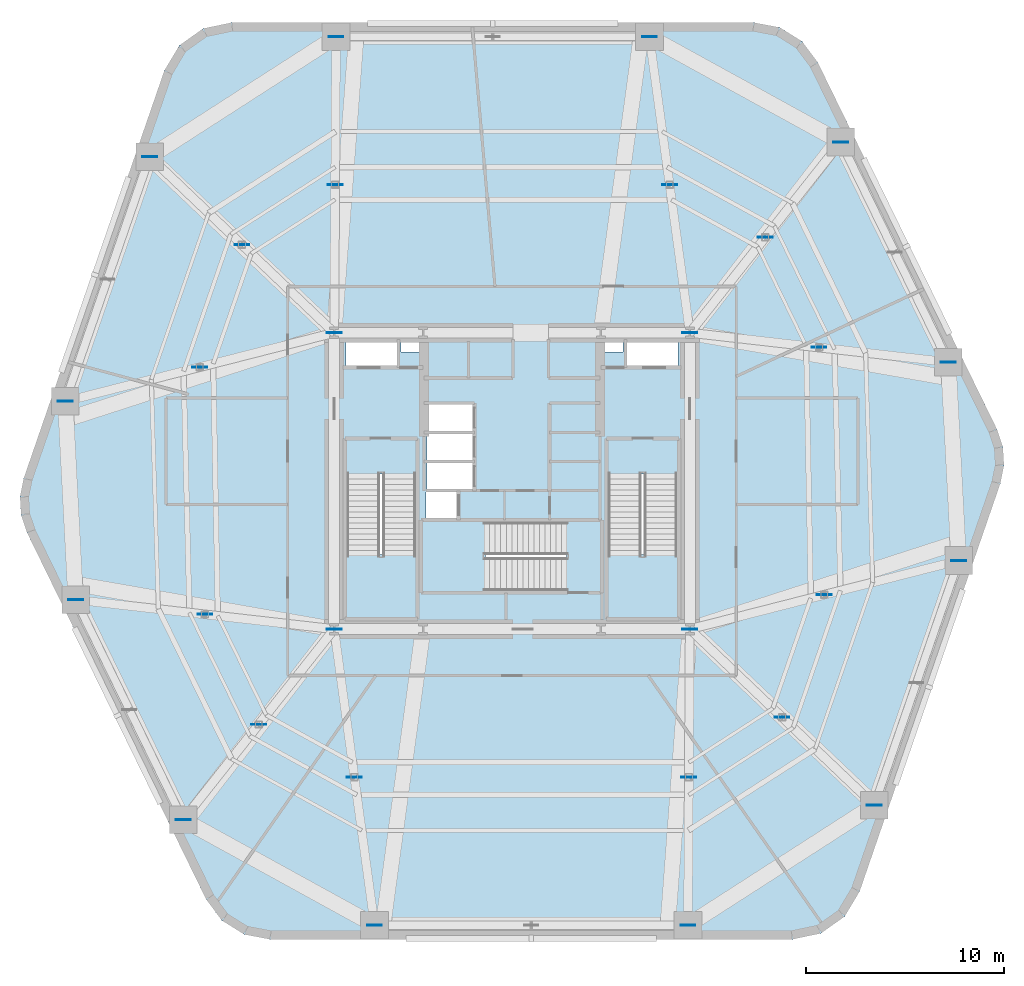
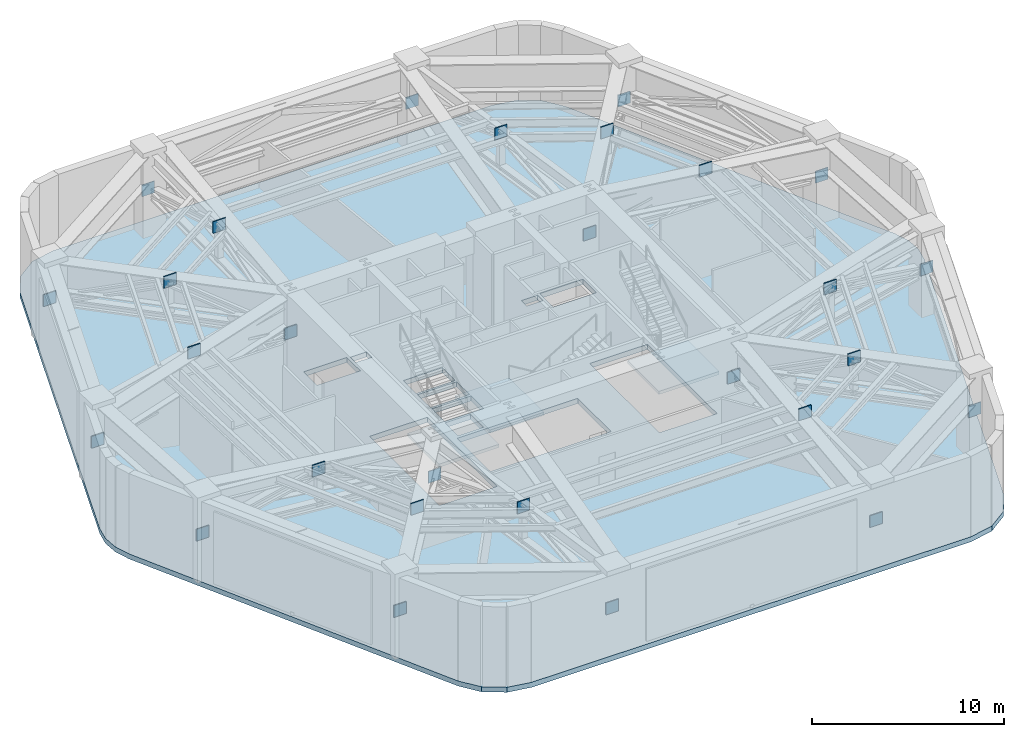
# One storey, part 5 of 11: 28 plates, 4 slabs, 3 elements without a shape of their own.
"""IFC4 building model written with IfcOpenShell, lengths in metres."""

from ifc_helpers import new_model, si_unit, direction, frame, origin, origin_2d, place, context, subcontext, project, spatial, polyline, rectangle, outline, extrude, material, layer, layer_set, type_object, element, aggregate, save


model = new_model("IFC4")

# Units and contexts
model_context = context("Model", 3, precision=1e-05, world=origin(), true_north=direction((0.0, 1.0)))
body_context = subcontext(model_context, "Body", "Model", "MODEL_VIEW")
ifc_project = project(units=[si_unit("LENGTHUNIT", "METRE"), si_unit("AREAUNIT", "SQUARE_METRE"), si_unit("VOLUMEUNIT", "CUBIC_METRE"), si_unit("PLANEANGLEUNIT", "RADIAN"), si_unit("MASSUNIT", "GRAM", prefix="KILO")], contexts=[model_context])

# Site, building, storey
site_placement = place(None, origin())
site = spatial("IfcSite", under=ifc_project, at=site_placement, CompositionType="ELEMENT")
building_placement = place(site_placement, origin())
building = spatial("IfcBuilding", under=site, at=building_placement, Name="Kilnhurst Terrace Hotel", CompositionType="ELEMENT")
storey_placement = place(building_placement, frame((0.0, 0.0, 86.0)))
storey = spatial("IfcBuildingStorey", under=building, at=storey_placement, Name="L20", CompositionType="ELEMENT", Elevation=86.0)

# Plates
ifc_material_1 = material(Name="Steel ASTM A572 Grade 50", Category="steel")
ifc_layer_1 = layer(ifc_material_1, 0.050048828125, Name="Steel ASTM A572 Grade 50")
ifc_layer_set_1 = layer_set([ifc_layer_1], Name="Steel ASTM A572 Grade 50")
plate_type = type_object("IfcPlateType", Name="PLT-GUSSET-50", PredefinedType="USERDEFINED", material=ifc_layer_set_1)
for number, where, z_axis, x_axis, name in (
    (1, (-9.0, -7.5, 2.14501953125), (0.0, 0.0, 1.0), (1.0, 0.0, 0.0), "L20 Outrigger Node Gusset Plate KN-CORE-1"),
    (2, (-7.97802734375, -14.989990234375, 4.375), (0.0, 0.0, 1.0), (1.0, 0.0, 0.0), "L20 Outrigger Node Gusset Plate KN-MID-1"),
    (3, (-6.955078125, -22.47998046875, 2.14501953125), (0.0, 0.0, 1.0), (1.0, 0.0, 0.0), "L20 Outrigger Node Gusset Plate KN-PERIM-1"),
    (4, (9.0, -7.5, 2.14501953125), (0.0, 0.0, 1.0), (1.0, 0.0, 0.0), "L20 Outrigger Node Gusset Plate KN-CORE-2"),
    (5, (8.952880859375, -14.989990234375, 4.375), (0.0, 0.0, 1.0), (1.0, 0.0, 0.0), "L20 Outrigger Node Gusset Plate KN-MID-2"),
    (6, (8.905029296875, -22.47998046875, 2.14501953125), (0.0, 0.0, 1.0), (1.0, 0.0, 0.0), "L20 Outrigger Node Gusset Plate KN-PERIM-2"),
    (7, (13.6689453125, -11.9560546875, 4.375), (0.0, 0.0, 1.0), (1.0, 0.0, 0.0), "L20 Outrigger Node Gusset Plate KN-MID-3"),
    (8, (18.337890625, -16.410888671875, 2.14501953125), (0.0, 0.0, 1.0), (1.0, 0.0, 0.0), "L20 Outrigger Node Gusset Plate KN-PERIM-3"),
    (9, (15.804931640625, -5.763916015625, 4.375), (0.0, 0.0, 1.0), (1.0, 0.0, 0.0), "L20 Outrigger Node Gusset Plate KN-MID-4"),
    (10, (22.60888671875, -4.029052734375, 2.14501953125), (0.0, 0.0, 1.0), (1.0, 0.0, 0.0), "L20 Outrigger Node Gusset Plate KN-PERIM-4"),
    (11, (9.0, 7.5, 2.14501953125), (0.0, 0.0, 1.0), (1.0, 0.0, 0.0), "L20 Outrigger Node Gusset Plate KN-CORE-5"),
    (12, (15.5419921875, 6.757080078125, 4.375), (0.0, 0.0, 1.0), (1.0, 0.0, 0.0), "L20 Outrigger Node Gusset Plate KN-MID-5"),
    (13, (22.083984375, 6.013916015625, 2.14501953125), (0.0, 0.0, 1.0), (1.0, 0.0, 0.0), "L20 Outrigger Node Gusset Plate KN-PERIM-5"),
    (14, (12.822021484375, 12.325927734375, 4.375), (0.0, 0.0, 1.0), (1.0, 0.0, 0.0), "L20 Outrigger Node Gusset Plate KN-MID-6"),
    (15, (16.64306640625, 17.152099609375, 2.14501953125), (0.0, 0.0, 1.0), (1.0, 0.0, 0.0), "L20 Outrigger Node Gusset Plate KN-PERIM-6"),
    (16, (7.97802734375, 14.989990234375, 4.375), (0.0, 0.0, 1.0), (1.0, 0.0, 0.0), "L20 Outrigger Node Gusset Plate KN-MID-7"),
    (17, (6.955078125, 22.47998046875, 2.14501953125), (0.0, 0.0, 1.0), (1.0, 0.0, 0.0), "L20 Outrigger Node Gusset Plate KN-PERIM-7"),
    (18, (-9.0, 7.5, 2.14501953125), (0.0, 0.0, 1.0), (1.0, 0.0, 0.0), "L20 Outrigger Node Gusset Plate KN-CORE-8"),
    (19, (-8.952880859375, 14.989990234375, 4.375), (0.0, 0.0, 1.0), (1.0, 0.0, 0.0), "L20 Outrigger Node Gusset Plate KN-MID-8"),
    (20, (-8.905029296875, 22.47998046875, 2.14501953125), (0.0, 0.0, 1.0), (1.0, 0.0, 0.0), "L20 Outrigger Node Gusset Plate KN-PERIM-8"),
    (21, (-13.6689453125, 11.9560546875, 4.375), (0.0, 0.0, 1.0), (1.0, 0.0, 0.0), "L20 Outrigger Node Gusset Plate KN-MID-9"),
    (22, (-18.337890625, 16.410888671875, 2.14501953125), (0.0, 0.0, 1.0), (1.0, 0.0, 0.0), "L20 Outrigger Node Gusset Plate KN-PERIM-9"),
    (23, (-15.804931640625, 5.763916015625, 4.375), (0.0, 0.0, 1.0), (1.0, 0.0, 0.0), "L20 Outrigger Node Gusset Plate KN-MID-10"),
    (24, (-22.60888671875, 4.029052734375, 2.14501953125), (0.0, 0.0, 1.0), (1.0, 0.0, 0.0), "L20 Outrigger Node Gusset Plate KN-PERIM-10"),
    (25, (-15.5419921875, -6.757080078125, 4.375), (0.0, 0.0, 1.0), (1.0, 0.0, 0.0), "L20 Outrigger Node Gusset Plate KN-MID-11"),
    (26, (-22.083984375, -6.013916015625, 2.14501953125), (0.0, 0.0, 1.0), (1.0, 0.0, 0.0), "L20 Outrigger Node Gusset Plate KN-PERIM-11"),
    (27, (-12.822021484375, -12.325927734375, 4.375), (0.0, 0.0, 1.0), (1.0, 0.0, 0.0), "L20 Outrigger Node Gusset Plate KN-MID-12"),
    (28, (-16.64306640625, -17.152099609375, 2.14501953125), (0.0, 0.0, 1.0), (1.0, 0.0, 0.0), "L20 Outrigger Node Gusset Plate KN-PERIM-12"),
):
    element("IfcPlate", number, at=place(storey_placement, frame(where, z_axis=z_axis, x_axis=x_axis)), inside=storey, type_object=plate_type, Name=name, ObjectType="GUSSET_PLATE", PredefinedType="USERDEFINED", context=body_context, shape_type="SweptSolid", body=[
        extrude(rectangle(XDim=0.75, YDim=0.050048828125, at=origin_2d()), origin(), (0.0, 0.0, 1.0), 0.75),
    ])

# Slab
ifc_material_2 = material(Name="Concrete C50/60", Category="concrete")
ifc_layer_2 = layer(ifc_material_2, 0.320068359375, Name="Concrete C50/60")
ifc_layer_set_2 = layer_set([ifc_layer_2], Name="Concrete C50/60")
slab_type_1 = type_object("IfcSlabType", Name="SLB-FLR-320", PredefinedType="FLOOR", material=ifc_layer_set_2)
slab_1_placement = place(storey_placement, frame((0.0, 0.0, -0.320068359375)))
element("IfcSlab", 29, at=slab_1_placement, inside=storey, type_object=slab_type_1, Name="L20 Structural Floor Slab", PredefinedType="FLOOR", context=body_context, shape_type="SweptSolid", body=[
    extrude(outline(polyline([(-15.476806640625, -21.18017578125), (-14.680908203125, -22.248046875), (-13.551025390625, -22.95361328125), (-12.241943359375, -23.199951171875), (14.191650390625, -23.199951171875), (15.635986328125, -22.8974609375), (16.837890625, -22.040771484375), (17.5947265625, -20.773681640625), (24.712890625, -0.135986328125), (24.90087890625, 0.7861328125), (24.843505859375, 1.7255859375), (24.54443359375, 2.617919921875), (15.476806640625, 21.18017578125), (14.680908203125, 22.248046875), (13.551025390625, 22.95361328125), (12.241943359375, 23.199951171875), (-14.191650390625, 23.199951171875), (-15.635986328125, 22.8974609375), (-16.837890625, 22.040771484375), (-17.5947265625, 20.773681640625), (-24.712890625, 0.135986328125), (-24.90087890625, -0.7861328125), (-24.843505859375, -1.7255859375), (-24.54443359375, -2.617919921875), (-15.476806640625, -21.18017578125)]), holes=[polyline([(-8.35009765625, 0.35498046875), (-4.8798828125, 0.35498046875), (-4.8798828125, -6.89990234375), (-8.35009765625, -6.89990234375), (-8.35009765625, 0.35498046875)]), polyline([(-2.800048828125, -1.89990234375), (-4.35009765625, -1.89990234375), (-4.35009765625, -0.550048828125), (-2.800048828125, -0.550048828125), (-2.800048828125, -1.89990234375)]), polyline([(-1.949951171875, -0.429931640625), (-4.300048828125, -0.429931640625), (-4.300048828125, 0.89990234375), (-1.949951171875, 0.89990234375), (-1.949951171875, -0.429931640625)]), polyline([(-4.300048828125, 1.050048828125), (-4.300048828125, 2.3798828125), (-1.949951171875, 2.3798828125), (-1.949951171875, 1.050048828125), (-4.300048828125, 1.050048828125)]), polyline([(-8.39990234375, 5.75), (-8.39990234375, 7.14990234375), (-5.800048828125, 7.14990234375), (-5.800048828125, 5.75), (-8.39990234375, 5.75)]), polyline([(-4.659912109375, 6.52001953125), (-5.6201171875, 6.52001953125), (-5.6201171875, 7.080078125), (-4.659912109375, 7.080078125), (-4.659912109375, 6.52001953125)]), polyline([(2.7548828125, -5.550048828125), (-4.5, -5.550048828125), (-4.5, -2.080078125), (2.7548828125, -2.080078125), (2.7548828125, -5.550048828125)]), polyline([(8.35009765625, 0.35498046875), (8.35009765625, -6.89990234375), (4.8798828125, -6.89990234375), (4.8798828125, 0.35498046875), (8.35009765625, 0.35498046875)]), polyline([(-1.949951171875, 2.530029296875), (-4.300048828125, 2.530029296875), (-4.300048828125, 3.860107421875), (-1.949951171875, 3.860107421875), (-1.949951171875, 2.530029296875)]), polyline([(5.800048828125, 5.75), (5.800048828125, 7.14990234375), (8.39990234375, 7.14990234375), (8.39990234375, 5.75), (5.800048828125, 5.75)]), polyline([(4.659912109375, 6.52001953125), (4.659912109375, 7.080078125), (5.6201171875, 7.080078125), (5.6201171875, 6.52001953125), (4.659912109375, 6.52001953125)])]), origin(), (0.0, 0.0, 1.0), 0.320068359375),
])

# Stair, slab
stair_type = type_object("IfcStairType", Name="STR-CORE-1660", PredefinedType="HALF_TURN_STAIR", material=ifc_material_2)
stair_1_placement = place(storey_placement, origin())
stair_1 = element("IfcStair", 30, at=stair_1_placement, inside=storey, type_object=stair_type, Name="L20 ST-1", PredefinedType="HALF_TURN_STAIR")
ifc_layer_3 = layer(ifc_material_2, 0.199951171875, Name="Concrete C50/60")
ifc_layer_set_3 = layer_set([ifc_layer_3], Name="Concrete C50/60")
slab_type_2 = type_object("IfcSlabType", Name="SLB-ST-LND-200", PredefinedType="LANDING", material=ifc_layer_set_3)
slab_2_placement = place(storey_placement, frame((0.0, 0.0, 2.5)))
slab_2 = element("IfcSlab", 31, at=slab_2_placement, type_object=slab_type_2, Name="ST-1 landing 1", PredefinedType="LANDING", context=body_context, shape_type="SweptSolid", body=[
    extrude(outline(polyline([(-8.429931640625, -3.72998046875), (-4.800048828125, -3.72998046875), (-4.800048828125, -6.97998046875), (-8.429931640625, -6.97998046875), (-8.429931640625, -3.72998046875)])), origin(), (0.0, 0.0, 1.0), 0.199951171875),
])
aggregate(stair_1, [slab_2])

stair_2_placement = place(storey_placement, origin())
stair_2 = element("IfcStair", 32, at=stair_2_placement, inside=storey, type_object=stair_type, Name="L20 ST-2", PredefinedType="HALF_TURN_STAIR")
slab_3_placement = place(storey_placement, frame((0.0, 0.0, 2.5)))
slab_3 = element("IfcSlab", 33, at=slab_3_placement, type_object=slab_type_2, Name="ST-2 landing 1", PredefinedType="LANDING", context=body_context, shape_type="SweptSolid", body=[
    extrude(outline(polyline([(4.800048828125, -3.72998046875), (8.429931640625, -3.72998046875), (8.429931640625, -6.97998046875), (4.800048828125, -6.97998046875), (4.800048828125, -3.72998046875)])), origin(), (0.0, 0.0, 1.0), 0.199951171875),
])
aggregate(stair_2, [slab_3])

stair_3_placement = place(storey_placement, origin())
stair_3 = element("IfcStair", 34, at=stair_3_placement, inside=storey, type_object=stair_type, Name="L20 ST-3", PredefinedType="HALF_TURN_STAIR")
slab_4_placement = place(storey_placement, frame((0.0, 0.0, 2.5)))
slab_4 = element("IfcSlab", 35, at=slab_4_placement, type_object=slab_type_2, Name="ST-3 landing 1", PredefinedType="LANDING", context=body_context, shape_type="SweptSolid", body=[
    extrude(outline(polyline([(-1.330078125, -2.0), (-1.330078125, -5.6298828125), (-4.580078125, -5.6298828125), (-4.580078125, -2.0), (-1.330078125, -2.0)])), origin(), (0.0, 0.0, 1.0), 0.199951171875),
])
aggregate(stair_3, [slab_4])

save(model, "model.ifc")
